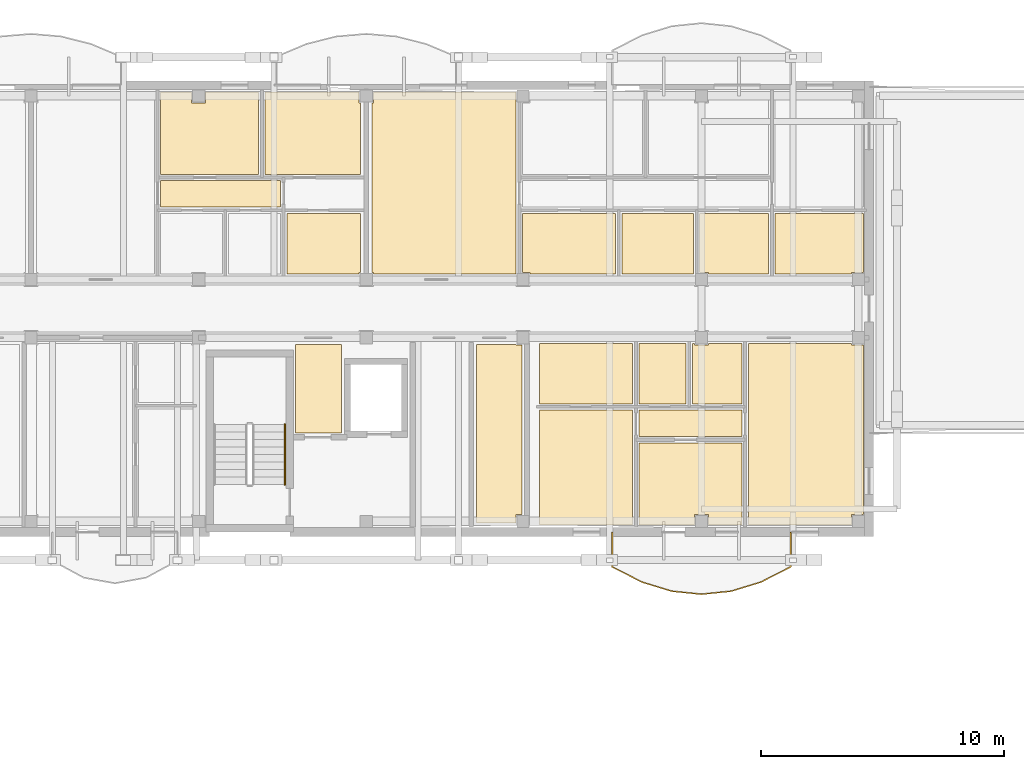
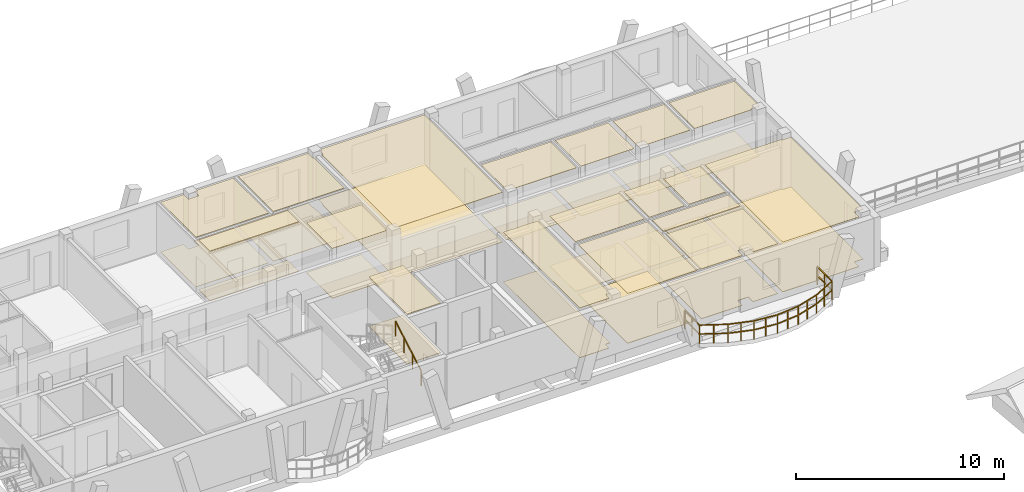
# One storey, part 97 of 109: 36 coverings, 2 railings.
"""IFC4 building model written with IfcOpenShell, lengths in metres."""

from ifc_helpers import new_model, si_unit, direction, frame, origin, origin_2d, place, context, subcontext, project, spatial, polyline, rectangle, outline, extrude, material, layer, layer_set, type_object, element, save


model = new_model("IFC4")

# Units and contexts
model_context = context("Model", 3, precision=1e-05, world=origin(), true_north=direction((0.0, 1.0)))
body_context = subcontext(model_context, "Body", "Model", "MODEL_VIEW")
ifc_project = project(units=[si_unit("LENGTHUNIT", "METRE"), si_unit("AREAUNIT", "SQUARE_METRE"), si_unit("VOLUMEUNIT", "CUBIC_METRE"), si_unit("PLANEANGLEUNIT", "RADIAN"), si_unit("MASSUNIT", "GRAM", prefix="KILO")], contexts=[model_context])

# Site, building, storey
site_placement = place(None, origin())
site = spatial("IfcSite", under=ifc_project, at=site_placement, CompositionType="ELEMENT")
building_placement = place(site_placement, origin())
building = spatial("IfcBuilding", under=site, at=building_placement, Name="Zavelmont Quarter", CompositionType="ELEMENT")
storey_placement = place(building_placement, frame((0.0, 0.0, 8.0)))
storey = spatial("IfcBuildingStorey", under=building, at=storey_placement, Name="L02", CompositionType="ELEMENT", Elevation=8.0)

# Coverings
ifc_material_1 = material(Name="Perforated acoustic gypsum board")
ifc_layer_1 = layer(ifc_material_1, 0.02490234375)
ifc_layer_set_1 = layer_set([ifc_layer_1], Name="Perforated acoustic gypsum board")
covering_type_1 = type_object("IfcCoveringType", Name="CV-CL01", PredefinedType="CEILING", material=ifc_layer_set_1)
covering_1_placement = place(storey_placement, frame((0.0, 0.0, 2.9150390625)))
element("IfcCovering", 1, at=covering_1_placement, inside=storey, type_object=covering_type_1, Name="L02 Lobby Vestibule acoustic ceiling", PredefinedType="CEILING", context=body_context, shape_type="SweptSolid", body=[
    extrude(outline(polyline([(31.580078125, 105.320068359375), (33.469970703125, 105.320068359375), (33.469970703125, 101.679931640625), (31.580078125, 101.679931640625), (31.580078125, 105.320068359375)])), origin(), (0.0, 0.0, 1.0), 0.02490234375),
])
covering_2_placement = place(storey_placement, frame((0.0, 0.0, 2.9150390625)))
element("IfcCovering", 2, at=covering_2_placement, inside=storey, type_object=covering_type_1, Name="L02 Cleaners Store acoustic ceiling", PredefinedType="CEILING", context=body_context, shape_type="SweptSolid", body=[
    extrude(outline(polyline([(39.030029296875, 105.320068359375), (40.669921875, 105.320068359375), (40.669921875, 105.31005859375), (40.919921875, 105.31005859375), (40.919921875, 98.330078125), (40.669921875, 98.330078125), (40.669921875, 97.97998046875), (39.030029296875, 97.97998046875), (39.030029296875, 105.320068359375)])), origin(), (0.0, 0.0, 1.0), 0.02490234375),
])
covering_3_placement = place(storey_placement, frame((0.0, 0.0, 2.9150390625)))
element("IfcCovering", 3, at=covering_3_placement, inside=storey, type_object=covering_type_1, Name="L02 Master Bedroom acoustic ceiling", PredefinedType="CEILING", context=body_context, shape_type="SweptSolid", body=[
    extrude(outline(polyline([(26.030029296875, 115.719970703125), (27.31005859375, 115.719970703125), (27.31005859375, 115.27001953125), (27.889892578125, 115.27001953125), (27.889892578125, 115.719970703125), (30.070068359375, 115.719970703125), (30.070068359375, 112.330078125), (26.030029296875, 112.330078125), (26.030029296875, 115.719970703125)])), origin(), (0.0, 0.0, 1.0), 0.02490234375),
])
covering_4_placement = place(storey_placement, frame((0.0, 0.0, 2.9150390625)))
element("IfcCovering", 4, at=covering_4_placement, inside=storey, type_object=covering_type_1, Name="L02 Double Bedroom acoustic ceiling", PredefinedType="CEILING", context=body_context, shape_type="SweptSolid", body=[
    extrude(outline(polyline([(30.330078125, 115.719970703125), (34.2099609375, 115.719970703125), (34.2099609375, 115.27001953125), (34.27001953125, 115.27001953125), (34.27001953125, 112.330078125), (30.330078125, 112.330078125), (30.330078125, 115.719970703125)])), origin(), (0.0, 0.0, 1.0), 0.02490234375),
])
covering_5_placement = place(storey_placement, frame((0.0, 0.0, 2.9150390625)))
element("IfcCovering", 5, at=covering_5_placement, inside=storey, type_object=covering_type_1, Name="L02 Living Dining acoustic ceiling", PredefinedType="CEILING", context=body_context, shape_type="SweptSolid", body=[
    extrude(outline(polyline([(34.72998046875, 115.27001953125), (34.7900390625, 115.27001953125), (34.7900390625, 115.719970703125), (40.669921875, 115.719970703125), (40.669921875, 115.27001953125), (40.669921875, 108.2900390625), (40.669921875, 108.22998046875), (34.7900390625, 108.22998046875), (34.7900390625, 108.2900390625), (34.72998046875, 108.2900390625), (34.72998046875, 115.27001953125)])), origin(), (0.0, 0.0, 1.0), 0.02490234375),
])
covering_6_placement = place(storey_placement, frame((0.0, 0.0, 2.9150390625)))
element("IfcCovering", 6, at=covering_6_placement, inside=storey, type_object=covering_type_1, Name="L02 Kitchen acoustic ceiling", PredefinedType="CEILING", context=body_context, shape_type="SweptSolid", body=[
    extrude(outline(polyline([(40.929931640625, 110.719970703125), (44.77001953125, 110.719970703125), (44.77001953125, 108.22998046875), (41.25, 108.22998046875), (41.25, 108.2900390625), (40.929931640625, 108.2900390625), (40.929931640625, 110.719970703125)])), origin(), (0.0, 0.0, 1.0), 0.02490234375),
])
covering_7_placement = place(storey_placement, frame((0.0, 0.0, 2.9150390625)))
element("IfcCovering", 7, at=covering_7_placement, inside=storey, type_object=covering_type_1, Name="L02 Utility Laundry acoustic ceiling", PredefinedType="CEILING", context=body_context, shape_type="SweptSolid", body=[
    extrude(outline(polyline([(48.22998046875, 110.719970703125), (51.070068359375, 110.719970703125), (51.070068359375, 108.22998046875), (48.590087890625, 108.22998046875), (48.590087890625, 108.2900390625), (48.22998046875, 108.2900390625), (48.22998046875, 110.719970703125)])), origin(), (0.0, 0.0, 1.0), 0.02490234375),
])
covering_8_placement = place(storey_placement, frame((0.0, 0.0, 2.9150390625)))
element("IfcCovering", 8, at=covering_8_placement, inside=storey, type_object=covering_type_1, Name="L02 Double Bedroom acoustic ceiling", PredefinedType="CEILING", context=body_context, shape_type="SweptSolid", body=[
    extrude(outline(polyline([(41.6298828125, 102.6201171875), (45.469970703125, 102.6201171875), (45.469970703125, 97.8798828125), (41.6298828125, 97.8798828125), (41.6298828125, 102.6201171875)])), origin(), (0.0, 0.0, 1.0), 0.02490234375),
])
covering_9_placement = place(storey_placement, frame((0.0, 0.0, 2.9150390625)))
element("IfcCovering", 9, at=covering_9_placement, inside=storey, type_object=covering_type_1, Name="L02 Kitchen acoustic ceiling", PredefinedType="CEILING", context=body_context, shape_type="SweptSolid", body=[
    extrude(outline(polyline([(47.929931640625, 105.3701171875), (48.010009765625, 105.3701171875), (48.010009765625, 105.31005859375), (48.590087890625, 105.31005859375), (48.590087890625, 105.3701171875), (49.969970703125, 105.3701171875), (49.969970703125, 102.8798828125), (47.929931640625, 102.8798828125), (47.929931640625, 105.3701171875)])), origin(), (0.0, 0.0, 1.0), 0.02490234375),
])
covering_10_placement = place(storey_placement, frame((0.0, 0.0, 2.9150390625)))
element("IfcCovering", 10, at=covering_10_placement, inside=storey, type_object=covering_type_1, Name="L02 Master Bedroom acoustic ceiling", PredefinedType="CEILING", context=body_context, shape_type="SweptSolid", body=[
    extrude(outline(polyline([(45.72998046875, 101.27001953125), (49.969970703125, 101.27001953125), (49.969970703125, 97.8798828125), (48.590087890625, 97.8798828125), (48.590087890625, 98.330078125), (48.010009765625, 98.330078125), (48.010009765625, 97.8798828125), (45.72998046875, 97.8798828125), (45.72998046875, 101.27001953125)])), origin(), (0.0, 0.0, 1.0), 0.02490234375),
])
covering_11_placement = place(storey_placement, frame((0.0, 0.0, 2.9150390625)))
element("IfcCovering", 11, at=covering_11_placement, inside=storey, type_object=covering_type_1, Name="L02 Living Dining acoustic ceiling", PredefinedType="CEILING", context=body_context, shape_type="SweptSolid", body=[
    extrude(outline(polyline([(50.22998046875, 105.3701171875), (54.469970703125, 105.3701171875), (54.469970703125, 105.31005859375), (54.969970703125, 105.31005859375), (54.969970703125, 98.330078125), (54.469970703125, 98.330078125), (54.469970703125, 97.8798828125), (50.22998046875, 97.8798828125), (50.22998046875, 105.3701171875)])), origin(), (0.0, 0.0, 1.0), 0.02490234375),
])
ifc_material_2 = material(Name="Slatted European ash acoustic baffle ceiling")
ifc_layer_2 = layer(ifc_material_2, 0.0400390625)
ifc_layer_set_2 = layer_set([ifc_layer_2], Name="Slatted European ash acoustic baffle ceiling")
covering_type_2 = type_object("IfcCoveringType", Name="CV-CL02", PredefinedType="CEILING", material=ifc_layer_set_2)
covering_12_placement = place(storey_placement, frame((0.0, 0.0, 2.89990234375)))
element("IfcCovering", 12, at=covering_12_placement, inside=storey, type_object=covering_type_2, Name="L02 Apartment Hall acoustic ceiling", PredefinedType="CEILING", context=body_context, shape_type="SweptSolid", body=[
    extrude(outline(polyline([(26.030029296875, 112.070068359375), (30.969970703125, 112.070068359375), (30.969970703125, 110.97998046875), (26.030029296875, 110.97998046875), (26.030029296875, 112.070068359375)])), origin(), (0.0, 0.0, 1.0), 0.0400390625),
])
covering_13_placement = place(storey_placement, frame((0.0, 0.0, 2.89990234375)))
element("IfcCovering", 13, at=covering_13_placement, inside=storey, type_object=covering_type_2, Name="L02 Apartment Hall acoustic ceiling", PredefinedType="CEILING", context=body_context, shape_type="SweptSolid", body=[
    extrude(outline(polyline([(45.72998046875, 102.6201171875), (49.969970703125, 102.6201171875), (49.969970703125, 101.530029296875), (45.72998046875, 101.530029296875), (45.72998046875, 102.6201171875)])), origin(), (0.0, 0.0, 1.0), 0.0400390625),
])
ifc_material_3 = material(Name="Moisture-resistant painted gypsum ceiling")
ifc_layer_3 = layer(ifc_material_3, 0.02001953125)
ifc_layer_set_3 = layer_set([ifc_layer_3], Name="Moisture-resistant painted gypsum ceiling")
covering_type_3 = type_object("IfcCoveringType", Name="CV-CL04", PredefinedType="CEILING", material=ifc_layer_set_3)
covering_14_placement = place(storey_placement, frame((0.0, 0.0, 2.919921875)))
element("IfcCovering", 14, at=covering_14_placement, inside=storey, type_object=covering_type_3, Name="L02 Bathroom acoustic ceiling", PredefinedType="CEILING", context=body_context, shape_type="SweptSolid", body=[
    extrude(outline(polyline([(31.22998046875, 110.719970703125), (34.27001953125, 110.719970703125), (34.27001953125, 108.2900390625), (34.2099609375, 108.2900390625), (34.2099609375, 108.22998046875), (31.22998046875, 108.22998046875), (31.22998046875, 110.719970703125)])), origin(), (0.0, 0.0, 1.0), 0.02001953125),
])
covering_15_placement = place(storey_placement, frame((0.0, 0.0, 2.919921875)))
element("IfcCovering", 15, at=covering_15_placement, inside=storey, type_object=covering_type_3, Name="L02 Bathroom acoustic ceiling", PredefinedType="CEILING", context=body_context, shape_type="SweptSolid", body=[
    extrude(outline(polyline([(45.030029296875, 110.719970703125), (47.969970703125, 110.719970703125), (47.969970703125, 108.22998046875), (45.030029296875, 108.22998046875), (45.030029296875, 110.719970703125)])), origin(), (0.0, 0.0, 1.0), 0.02001953125),
])
covering_16_placement = place(storey_placement, frame((0.0, 0.0, 2.919921875)))
element("IfcCovering", 16, at=covering_16_placement, inside=storey, type_object=covering_type_3, Name="L02 Bathroom acoustic ceiling", PredefinedType="CEILING", context=body_context, shape_type="SweptSolid", body=[
    extrude(outline(polyline([(51.330078125, 110.719970703125), (54.969970703125, 110.719970703125), (54.969970703125, 108.2900390625), (54.469970703125, 108.2900390625), (54.469970703125, 108.22998046875), (51.330078125, 108.22998046875), (51.330078125, 110.719970703125)])), origin(), (0.0, 0.0, 1.0), 0.02001953125),
])
covering_17_placement = place(storey_placement, frame((0.0, 0.0, 2.919921875)))
element("IfcCovering", 17, at=covering_17_placement, inside=storey, type_object=covering_type_3, Name="L02 Bathroom acoustic ceiling", PredefinedType="CEILING", context=body_context, shape_type="SweptSolid", body=[
    extrude(outline(polyline([(41.6298828125, 105.3701171875), (45.469970703125, 105.3701171875), (45.469970703125, 102.8798828125), (41.6298828125, 102.8798828125), (41.6298828125, 105.3701171875)])), origin(), (0.0, 0.0, 1.0), 0.02001953125),
])
covering_18_placement = place(storey_placement, frame((0.0, 0.0, 2.919921875)))
element("IfcCovering", 18, at=covering_18_placement, inside=storey, type_object=covering_type_3, Name="L02 Bathroom acoustic ceiling", PredefinedType="CEILING", context=body_context, shape_type="SweptSolid", body=[
    extrude(outline(polyline([(45.72998046875, 105.3701171875), (47.669921875, 105.3701171875), (47.669921875, 102.8798828125), (45.72998046875, 102.8798828125), (45.72998046875, 105.3701171875)])), origin(), (0.0, 0.0, 1.0), 0.02001953125),
])
ifc_material_4 = material(Name="Engineered European oak parquet")
ifc_layer_4 = layer(ifc_material_4, 0.02197265625)
ifc_layer_set_4 = layer_set([ifc_layer_4], Name="Engineered European oak parquet")
covering_type_4 = type_object("IfcCoveringType", Name="CV-FL01", PredefinedType="FLOORING", material=ifc_layer_set_4)
covering_19_placement = place(storey_placement, origin())
element("IfcCovering", 19, at=covering_19_placement, inside=storey, type_object=covering_type_4, Name="L02 Lobby Vestibule floor finish", PredefinedType="FLOORING", context=body_context, shape_type="SweptSolid", body=[
    extrude(outline(polyline([(31.580078125, 105.320068359375), (33.469970703125, 105.320068359375), (33.469970703125, 101.679931640625), (31.580078125, 101.679931640625), (31.580078125, 105.320068359375)])), origin(), (0.0, 0.0, 1.0), 0.02197265625),
])
covering_20_placement = place(storey_placement, origin())
element("IfcCovering", 20, at=covering_20_placement, inside=storey, type_object=covering_type_4, Name="L02 Cleaners Store floor finish", PredefinedType="FLOORING", context=body_context, shape_type="SweptSolid", body=[
    extrude(outline(polyline([(39.030029296875, 105.320068359375), (40.669921875, 105.320068359375), (40.669921875, 105.31005859375), (40.919921875, 105.31005859375), (40.919921875, 98.330078125), (40.669921875, 98.330078125), (40.669921875, 97.97998046875), (39.030029296875, 97.97998046875), (39.030029296875, 105.320068359375)])), origin(), (0.0, 0.0, 1.0), 0.02197265625),
])
covering_21_placement = place(storey_placement, origin())
element("IfcCovering", 21, at=covering_21_placement, inside=storey, type_object=covering_type_4, Name="L02 Master Bedroom floor finish", PredefinedType="FLOORING", context=body_context, shape_type="SweptSolid", body=[
    extrude(outline(polyline([(26.030029296875, 115.719970703125), (27.31005859375, 115.719970703125), (27.31005859375, 115.27001953125), (27.889892578125, 115.27001953125), (27.889892578125, 115.719970703125), (30.070068359375, 115.719970703125), (30.070068359375, 112.330078125), (26.030029296875, 112.330078125), (26.030029296875, 115.719970703125)])), origin(), (0.0, 0.0, 1.0), 0.02197265625),
])
covering_22_placement = place(storey_placement, origin())
element("IfcCovering", 22, at=covering_22_placement, inside=storey, type_object=covering_type_4, Name="L02 Double Bedroom floor finish", PredefinedType="FLOORING", context=body_context, shape_type="SweptSolid", body=[
    extrude(outline(polyline([(30.330078125, 115.719970703125), (34.2099609375, 115.719970703125), (34.2099609375, 115.27001953125), (34.27001953125, 115.27001953125), (34.27001953125, 112.330078125), (30.330078125, 112.330078125), (30.330078125, 115.719970703125)])), origin(), (0.0, 0.0, 1.0), 0.02197265625),
])
covering_23_placement = place(storey_placement, origin())
element("IfcCovering", 23, at=covering_23_placement, inside=storey, type_object=covering_type_4, Name="L02 Living Dining floor finish", PredefinedType="FLOORING", context=body_context, shape_type="SweptSolid", body=[
    extrude(outline(polyline([(34.72998046875, 115.27001953125), (34.7900390625, 115.27001953125), (34.7900390625, 115.719970703125), (40.669921875, 115.719970703125), (40.669921875, 115.27001953125), (40.669921875, 108.2900390625), (40.669921875, 108.22998046875), (34.7900390625, 108.22998046875), (34.7900390625, 108.2900390625), (34.72998046875, 108.2900390625), (34.72998046875, 115.27001953125)])), origin(), (0.0, 0.0, 1.0), 0.02197265625),
])
covering_24_placement = place(storey_placement, origin())
element("IfcCovering", 24, at=covering_24_placement, inside=storey, type_object=covering_type_4, Name="L02 Kitchen floor finish", PredefinedType="FLOORING", context=body_context, shape_type="SweptSolid", body=[
    extrude(outline(polyline([(40.929931640625, 110.719970703125), (44.77001953125, 110.719970703125), (44.77001953125, 108.22998046875), (41.25, 108.22998046875), (41.25, 108.2900390625), (40.929931640625, 108.2900390625), (40.929931640625, 110.719970703125)])), origin(), (0.0, 0.0, 1.0), 0.02197265625),
])
covering_25_placement = place(storey_placement, origin())
element("IfcCovering", 25, at=covering_25_placement, inside=storey, type_object=covering_type_4, Name="L02 Utility Laundry floor finish", PredefinedType="FLOORING", context=body_context, shape_type="SweptSolid", body=[
    extrude(outline(polyline([(48.22998046875, 110.719970703125), (51.070068359375, 110.719970703125), (51.070068359375, 108.22998046875), (48.590087890625, 108.22998046875), (48.590087890625, 108.2900390625), (48.22998046875, 108.2900390625), (48.22998046875, 110.719970703125)])), origin(), (0.0, 0.0, 1.0), 0.02197265625),
])
covering_26_placement = place(storey_placement, origin())
element("IfcCovering", 26, at=covering_26_placement, inside=storey, type_object=covering_type_4, Name="L02 Double Bedroom floor finish", PredefinedType="FLOORING", context=body_context, shape_type="SweptSolid", body=[
    extrude(outline(polyline([(41.6298828125, 102.6201171875), (45.469970703125, 102.6201171875), (45.469970703125, 97.8798828125), (41.6298828125, 97.8798828125), (41.6298828125, 102.6201171875)])), origin(), (0.0, 0.0, 1.0), 0.02197265625),
])
covering_27_placement = place(storey_placement, origin())
element("IfcCovering", 27, at=covering_27_placement, inside=storey, type_object=covering_type_4, Name="L02 Kitchen floor finish", PredefinedType="FLOORING", context=body_context, shape_type="SweptSolid", body=[
    extrude(outline(polyline([(47.929931640625, 105.3701171875), (48.010009765625, 105.3701171875), (48.010009765625, 105.31005859375), (48.590087890625, 105.31005859375), (48.590087890625, 105.3701171875), (49.969970703125, 105.3701171875), (49.969970703125, 102.8798828125), (47.929931640625, 102.8798828125), (47.929931640625, 105.3701171875)])), origin(), (0.0, 0.0, 1.0), 0.02197265625),
])
covering_28_placement = place(storey_placement, origin())
element("IfcCovering", 28, at=covering_28_placement, inside=storey, type_object=covering_type_4, Name="L02 Master Bedroom floor finish", PredefinedType="FLOORING", context=body_context, shape_type="SweptSolid", body=[
    extrude(outline(polyline([(45.72998046875, 101.27001953125), (49.969970703125, 101.27001953125), (49.969970703125, 97.8798828125), (48.590087890625, 97.8798828125), (48.590087890625, 98.330078125), (48.010009765625, 98.330078125), (48.010009765625, 97.8798828125), (45.72998046875, 97.8798828125), (45.72998046875, 101.27001953125)])), origin(), (0.0, 0.0, 1.0), 0.02197265625),
])
covering_29_placement = place(storey_placement, origin())
element("IfcCovering", 29, at=covering_29_placement, inside=storey, type_object=covering_type_4, Name="L02 Living Dining floor finish", PredefinedType="FLOORING", context=body_context, shape_type="SweptSolid", body=[
    extrude(outline(polyline([(50.22998046875, 105.3701171875), (54.469970703125, 105.3701171875), (54.469970703125, 105.31005859375), (54.969970703125, 105.31005859375), (54.969970703125, 98.330078125), (54.469970703125, 98.330078125), (54.469970703125, 97.8798828125), (50.22998046875, 97.8798828125), (50.22998046875, 105.3701171875)])), origin(), (0.0, 0.0, 1.0), 0.02197265625),
])
ifc_material_5 = material(Name="Honed Belgian bluestone tile", Category="masonry")
ifc_layer_5 = layer(ifc_material_5, 0.030029296875)
ifc_layer_set_5 = layer_set([ifc_layer_5], Name="Honed Belgian bluestone tile")
covering_type_5 = type_object("IfcCoveringType", Name="CV-FL02", PredefinedType="FLOORING", material=ifc_layer_set_5)
covering_30_placement = place(storey_placement, origin())
element("IfcCovering", 30, at=covering_30_placement, inside=storey, type_object=covering_type_5, Name="L02 Apartment Hall floor finish", PredefinedType="FLOORING", context=body_context, shape_type="SweptSolid", body=[
    extrude(outline(polyline([(26.030029296875, 112.070068359375), (30.969970703125, 112.070068359375), (30.969970703125, 110.97998046875), (26.030029296875, 110.97998046875), (26.030029296875, 112.070068359375)])), origin(), (0.0, 0.0, 1.0), 0.030029296875),
])
covering_31_placement = place(storey_placement, origin())
element("IfcCovering", 31, at=covering_31_placement, inside=storey, type_object=covering_type_5, Name="L02 Apartment Hall floor finish", PredefinedType="FLOORING", context=body_context, shape_type="SweptSolid", body=[
    extrude(outline(polyline([(45.72998046875, 102.6201171875), (49.969970703125, 102.6201171875), (49.969970703125, 101.530029296875), (45.72998046875, 101.530029296875), (45.72998046875, 102.6201171875)])), origin(), (0.0, 0.0, 1.0), 0.030029296875),
])
ifc_material_6 = material(Name="Slip-resistant porcelain tile")
ifc_layer_6 = layer(ifc_material_6, 0.02587890625)
ifc_layer_set_6 = layer_set([ifc_layer_6], Name="Slip-resistant porcelain tile")
covering_type_6 = type_object("IfcCoveringType", Name="CV-FL04", PredefinedType="FLOORING", material=ifc_layer_set_6)
covering_32_placement = place(storey_placement, origin())
element("IfcCovering", 32, at=covering_32_placement, inside=storey, type_object=covering_type_6, Name="L02 Bathroom floor finish", PredefinedType="FLOORING", context=body_context, shape_type="SweptSolid", body=[
    extrude(outline(polyline([(31.22998046875, 110.719970703125), (34.27001953125, 110.719970703125), (34.27001953125, 108.2900390625), (34.2099609375, 108.2900390625), (34.2099609375, 108.22998046875), (31.22998046875, 108.22998046875), (31.22998046875, 110.719970703125)])), origin(), (0.0, 0.0, 1.0), 0.02587890625),
])
covering_33_placement = place(storey_placement, origin())
element("IfcCovering", 33, at=covering_33_placement, inside=storey, type_object=covering_type_6, Name="L02 Bathroom floor finish", PredefinedType="FLOORING", context=body_context, shape_type="SweptSolid", body=[
    extrude(outline(polyline([(45.030029296875, 110.719970703125), (47.969970703125, 110.719970703125), (47.969970703125, 108.22998046875), (45.030029296875, 108.22998046875), (45.030029296875, 110.719970703125)])), origin(), (0.0, 0.0, 1.0), 0.02587890625),
])
covering_34_placement = place(storey_placement, origin())
element("IfcCovering", 34, at=covering_34_placement, inside=storey, type_object=covering_type_6, Name="L02 Bathroom floor finish", PredefinedType="FLOORING", context=body_context, shape_type="SweptSolid", body=[
    extrude(outline(polyline([(51.330078125, 110.719970703125), (54.969970703125, 110.719970703125), (54.969970703125, 108.2900390625), (54.469970703125, 108.2900390625), (54.469970703125, 108.22998046875), (51.330078125, 108.22998046875), (51.330078125, 110.719970703125)])), origin(), (0.0, 0.0, 1.0), 0.02587890625),
])
covering_35_placement = place(storey_placement, origin())
element("IfcCovering", 35, at=covering_35_placement, inside=storey, type_object=covering_type_6, Name="L02 Bathroom floor finish", PredefinedType="FLOORING", context=body_context, shape_type="SweptSolid", body=[
    extrude(outline(polyline([(41.6298828125, 105.3701171875), (45.469970703125, 105.3701171875), (45.469970703125, 102.8798828125), (41.6298828125, 102.8798828125), (41.6298828125, 105.3701171875)])), origin(), (0.0, 0.0, 1.0), 0.02587890625),
])
covering_36_placement = place(storey_placement, origin())
element("IfcCovering", 36, at=covering_36_placement, inside=storey, type_object=covering_type_6, Name="L02 Bathroom floor finish", PredefinedType="FLOORING", context=body_context, shape_type="SweptSolid", body=[
    extrude(outline(polyline([(45.72998046875, 105.3701171875), (47.669921875, 105.3701171875), (47.669921875, 102.8798828125), (45.72998046875, 102.8798828125), (45.72998046875, 105.3701171875)])), origin(), (0.0, 0.0, 1.0), 0.02587890625),
])

# Railings
ifc_material_7 = material(Name="Powder-coated steel and tempered double safety glass", Category="steel")
railing_type_1 = type_object("IfcRailingType", Name="RL-BAL1", PredefinedType="BALUSTRADE", material=ifc_material_7)
railing_1_placement = place(storey_placement, frame((44.625732421875, 97.580078125, 0.0)))
element("IfcRailing", 37, at=railing_1_placement, inside=storey, type_object=railing_type_1, Name="L02 Block B curved balcony guard RL-BAL1", PredefinedType="BALUSTRADE", context=body_context, shape_type="SweptSolid", body=[
    extrude(rectangle(XDim=0.048095703125, YDim=0.048095703125, at=origin_2d()), frame((0.0, 0.0, 1.076171875), z_axis=(0.0, -1.0, 0.0), x_axis=(1.0, 0.0, 0.0)), (0.0, 0.0, 1.0), 1.414794921875),
    extrude(rectangle(XDim=0.048095703125, YDim=0.048095703125, at=origin_2d()), frame((0.0, 0.0, 0.550048828125), z_axis=(0.0, -1.0, 0.0), x_axis=(1.0, 0.0, 0.0)), (0.0, 0.0, 1.0), 1.414794921875),
    extrude(rectangle(XDim=0.048095703125, YDim=0.048095703125, at=origin_2d()), frame((0.0, -1.414794921875, 1.076171875), z_axis=(0.890380336139, -0.45521737337, 0.0), x_axis=(0.45521737337, 0.890380336139, 0.0)), (0.0, 0.0, 1.0), 1.375732421875),
    extrude(rectangle(XDim=0.048095703125, YDim=0.048095703125, at=origin_2d()), frame((0.0, -1.414794921875, 0.550048828125), z_axis=(0.890380336139, -0.45521737337, 0.0), x_axis=(0.45521737337, 0.890380336139, 0.0)), (0.0, 0.0, 1.0), 1.375732421875),
    extrude(rectangle(XDim=0.048095703125, YDim=0.048095703125, at=origin_2d()), frame((1.224853515625, -2.041015625, 1.076171875), z_axis=(0.956013596625, -0.29332235351, 0.0), x_axis=(0.29332235351, 0.956013596625, 0.0)), (0.0, 0.0, 1.0), 1.281005859375),
    extrude(rectangle(XDim=0.048095703125, YDim=0.048095703125, at=origin_2d()), frame((1.224853515625, -2.041015625, 0.550048828125), z_axis=(0.956013596625, -0.29332235351, 0.0), x_axis=(0.29332235351, 0.956013596625, 0.0)), (0.0, 0.0, 1.0), 1.281005859375),
    extrude(rectangle(XDim=0.048095703125, YDim=0.048095703125, at=origin_2d()), frame((2.449462890625, -2.416748046875, 1.076171875), z_axis=(0.994812869709, -0.101721945816, 0.0), x_axis=(0.101721945816, 0.994812869709, 0.0)), (0.0, 0.0, 1.0), 1.231201171875),
    extrude(rectangle(XDim=0.048095703125, YDim=0.048095703125, at=origin_2d()), frame((2.449462890625, -2.416748046875, 0.550048828125), z_axis=(0.994812869709, -0.101721945816, 0.0), x_axis=(0.101721945816, 0.994812869709, 0.0)), (0.0, 0.0, 1.0), 1.231201171875),
    extrude(rectangle(XDim=0.048095703125, YDim=0.048095703125, at=origin_2d()), frame((3.67431640625, -2.5419921875, 1.076171875), z_axis=(0.994812869709, 0.101721945816, 0.0), x_axis=(-0.101721945816, 0.994812869709, 0.0)), (0.0, 0.0, 1.0), 1.231201171875),
    extrude(rectangle(XDim=0.048095703125, YDim=0.048095703125, at=origin_2d()), frame((3.67431640625, -2.5419921875, 0.550048828125), z_axis=(0.994812869709, 0.101721945816, 0.0), x_axis=(-0.101721945816, 0.994812869709, 0.0)), (0.0, 0.0, 1.0), 1.231201171875),
    extrude(rectangle(XDim=0.048095703125, YDim=0.048095703125, at=origin_2d()), frame((4.899169921875, -2.416748046875, 1.076171875), z_axis=(0.956013596625, 0.29332235351, 0.0), x_axis=(-0.29332235351, 0.956013596625, 0.0)), (0.0, 0.0, 1.0), 1.281005859375),
    extrude(rectangle(XDim=0.048095703125, YDim=0.048095703125, at=origin_2d()), frame((4.899169921875, -2.416748046875, 0.550048828125), z_axis=(0.956013596625, 0.29332235351, 0.0), x_axis=(-0.29332235351, 0.956013596625, 0.0)), (0.0, 0.0, 1.0), 1.281005859375),
    extrude(rectangle(XDim=0.048095703125, YDim=0.048095703125, at=origin_2d()), frame((6.123779296875, -2.041015625, 1.076171875), z_axis=(0.890380336139, 0.45521737337, 0.0), x_axis=(-0.45521737337, 0.890380336139, 0.0)), (0.0, 0.0, 1.0), 1.375732421875),
    extrude(rectangle(XDim=0.048095703125, YDim=0.048095703125, at=origin_2d()), frame((6.123779296875, -2.041015625, 0.550048828125), z_axis=(0.890380336139, 0.45521737337, 0.0), x_axis=(-0.45521737337, 0.890380336139, 0.0)), (0.0, 0.0, 1.0), 1.375732421875),
    extrude(rectangle(XDim=0.048095703125, YDim=0.048095703125, at=origin_2d()), frame((7.3486328125, -1.414794921875, 1.076171875), z_axis=(0.0, 1.0, 0.0), x_axis=(-1.0, 0.0, 0.0)), (0.0, 0.0, 1.0), 1.414794921875),
    extrude(rectangle(XDim=0.048095703125, YDim=0.048095703125, at=origin_2d()), frame((7.3486328125, -1.414794921875, 0.550048828125), z_axis=(0.0, 1.0, 0.0), x_axis=(-1.0, 0.0, 0.0)), (0.0, 0.0, 1.0), 1.414794921875),
    extrude(rectangle(XDim=0.0419921875, YDim=0.0419921875, at=origin_2d()), origin(), (0.0, 0.0, 1.0), 1.052001953125),
    extrude(rectangle(XDim=0.0419921875, YDim=0.0419921875, at=origin_2d()), frame((0.0, -0.70751953125, 0.0)), (0.0, 0.0, 1.0), 1.052001953125),
    extrude(rectangle(XDim=0.0419921875, YDim=0.0419921875, at=origin_2d()), frame((0.0, -1.414794921875, 0.0)), (0.0, 0.0, 1.0), 1.052001953125),
    extrude(rectangle(XDim=0.0419921875, YDim=0.0419921875, at=origin_2d()), frame((0.6123046875, -1.72802734375, 0.0)), (0.0, 0.0, 1.0), 1.052001953125),
    extrude(rectangle(XDim=0.0419921875, YDim=0.0419921875, at=origin_2d()), frame((1.224853515625, -2.041015625, 0.0)), (0.0, 0.0, 1.0), 1.052001953125),
    extrude(rectangle(XDim=0.0419921875, YDim=0.0419921875, at=origin_2d()), frame((1.837158203125, -2.22900390625, 0.0)), (0.0, 0.0, 1.0), 1.052001953125),
    extrude(rectangle(XDim=0.0419921875, YDim=0.0419921875, at=origin_2d()), frame((2.449462890625, -2.416748046875, 0.0)), (0.0, 0.0, 1.0), 1.052001953125),
    extrude(rectangle(XDim=0.0419921875, YDim=0.0419921875, at=origin_2d()), frame((3.06201171875, -2.4794921875, 0.0)), (0.0, 0.0, 1.0), 1.052001953125),
    extrude(rectangle(XDim=0.0419921875, YDim=0.0419921875, at=origin_2d()), frame((3.67431640625, -2.5419921875, 0.0)), (0.0, 0.0, 1.0), 1.052001953125),
    extrude(rectangle(XDim=0.0419921875, YDim=0.0419921875, at=origin_2d()), frame((4.28662109375, -2.4794921875, 0.0)), (0.0, 0.0, 1.0), 1.052001953125),
    extrude(rectangle(XDim=0.0419921875, YDim=0.0419921875, at=origin_2d()), frame((4.899169921875, -2.416748046875, 0.0)), (0.0, 0.0, 1.0), 1.052001953125),
    extrude(rectangle(XDim=0.0419921875, YDim=0.0419921875, at=origin_2d()), frame((5.511474609375, -2.22900390625, 0.0)), (0.0, 0.0, 1.0), 1.052001953125),
    extrude(rectangle(XDim=0.0419921875, YDim=0.0419921875, at=origin_2d()), frame((6.123779296875, -2.041015625, 0.0)), (0.0, 0.0, 1.0), 1.052001953125),
    extrude(rectangle(XDim=0.0419921875, YDim=0.0419921875, at=origin_2d()), frame((6.736328125, -1.72802734375, 0.0)), (0.0, 0.0, 1.0), 1.052001953125),
    extrude(rectangle(XDim=0.0419921875, YDim=0.0419921875, at=origin_2d()), frame((7.3486328125, -1.414794921875, 0.0)), (0.0, 0.0, 1.0), 1.052001953125),
    extrude(rectangle(XDim=0.0419921875, YDim=0.0419921875, at=origin_2d()), frame((7.3486328125, -0.70751953125, 0.0)), (0.0, 0.0, 1.0), 1.052001953125),
    extrude(rectangle(XDim=0.0419921875, YDim=0.0419921875, at=origin_2d()), frame((7.3486328125, 0.0, 0.0)), (0.0, 0.0, 1.0), 1.052001953125),
])
ifc_material_8 = material(Name="Brushed stainless-steel wall handrail", Category="steel")
railing_type_2 = type_object("IfcRailingType", Name="RL-HND1", PredefinedType="HANDRAIL", material=ifc_material_8)
railing_2_placement = place(storey_placement, frame((31.14990234375, 99.550048828125, 0.177734375)))
element("IfcRailing", 38, at=railing_2_placement, inside=storey, type_object=railing_type_2, Name="L02 ST04 stair handrail 1", PredefinedType="HANDRAIL", context=body_context, shape_type="SweptSolid", body=[
    extrude(rectangle(XDim=0.048095703125, YDim=0.048095703125, at=origin_2d()), frame((0.0, 0.0, 0.8759765625), z_axis=(0.0, 0.867453774394, 0.497517787913), x_axis=(-1.0, 0.0, 0.0)), (0.0, 0.0, 1.0), 2.85888671875),
    extrude(rectangle(XDim=0.0419921875, YDim=0.0419921875, at=origin_2d()), origin(), (0.0, 0.0, 1.0), 0.851806640625),
    extrude(rectangle(XDim=0.0419921875, YDim=0.0419921875, at=origin_2d()), frame((0.0, 0.82666015625, 0.47412109375)), (0.0, 0.0, 1.0), 0.851806640625),
    extrude(rectangle(XDim=0.0419921875, YDim=0.0419921875, at=origin_2d()), frame((0.0, 1.6533203125, 0.9482421875)), (0.0, 0.0, 1.0), 0.851806640625),
    extrude(rectangle(XDim=0.0419921875, YDim=0.0419921875, at=origin_2d()), frame((0.0, 2.47998046875, 1.42236328125)), (0.0, 0.0, 1.0), 0.851806640625),
])

save(model, "model.ifc")
